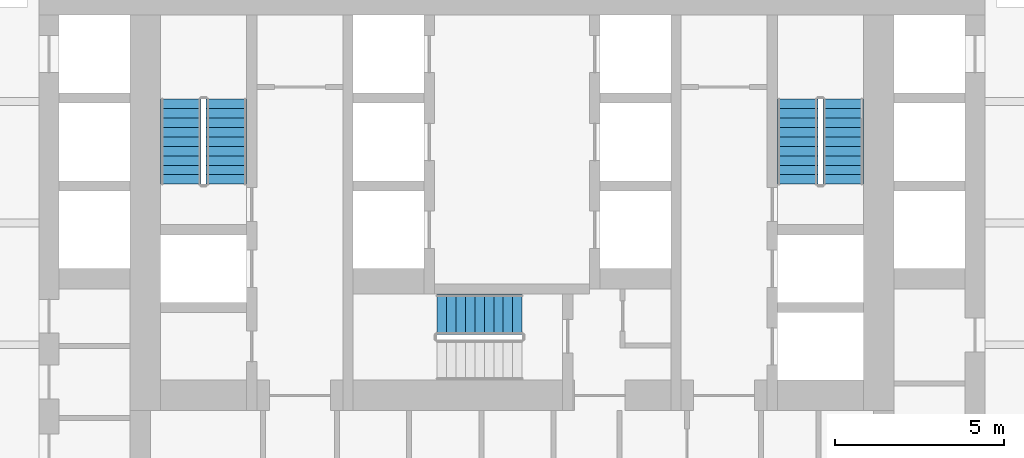
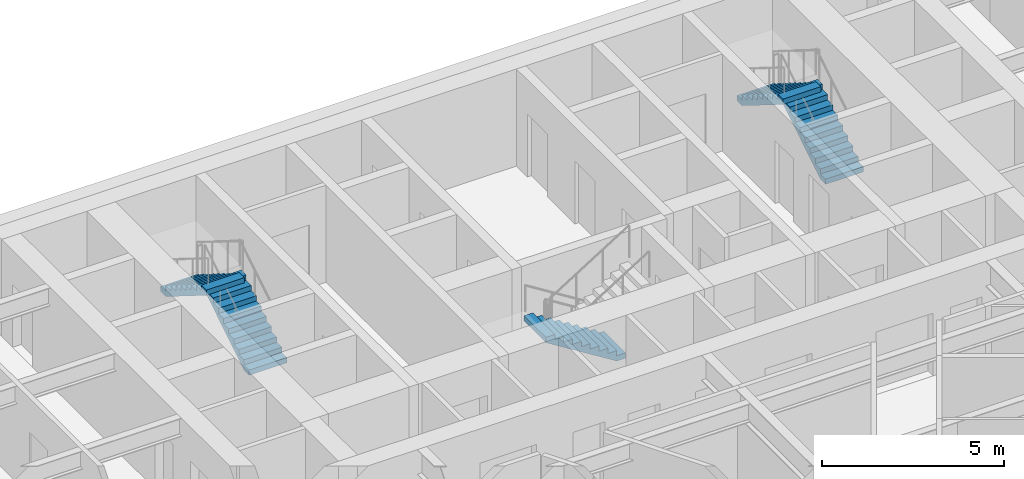
# One storey, part 7 of 9: 5 stair flights, 3 elements without a shape of their own.
"""IFC4 building model written with IfcOpenShell, lengths in metres."""

from ifc_helpers import new_model, si_unit, direction, frame, origin, place, context, subcontext, project, spatial, polyline, outline, extrude, material, type_object, element, aggregate, save


model = new_model("IFC4")

# Units and contexts
model_context = context("Model", 3, precision=1e-05, world=origin(), true_north=direction((0.0, 1.0)))
body_context = subcontext(model_context, "Body", "Model", "MODEL_VIEW")
ifc_project = project(units=[si_unit("LENGTHUNIT", "METRE"), si_unit("AREAUNIT", "SQUARE_METRE"), si_unit("VOLUMEUNIT", "CUBIC_METRE"), si_unit("PLANEANGLEUNIT", "RADIAN"), si_unit("MASSUNIT", "GRAM", prefix="KILO")], contexts=[model_context])

# Site, building, storey
site_placement = place(None, origin())
site = spatial("IfcSite", under=ifc_project, at=site_placement, CompositionType="ELEMENT")
building_placement = place(site_placement, origin())
building = spatial("IfcBuilding", under=site, at=building_placement, Name="Aloe Facet Convention Tower", CompositionType="ELEMENT")
storey_placement = place(building_placement, frame((0.0, 0.0, 120.300048828125)))
storey = spatial("IfcBuildingStorey", under=building, at=storey_placement, Name="L30", CompositionType="ELEMENT", Elevation=120.300048828125)

# Stair, stair flights
ifc_material_1 = material(Name="Concrete C50/60", Category="concrete")
stair_type = type_object("IfcStairType", Name="CR-ST-20R", PredefinedType="HALF_TURN_STAIR", material=ifc_material_1)
stair_1_placement = place(storey_placement, origin())
stair_1 = element("IfcStair", 1, at=stair_1_placement, inside=storey, type_object=stair_type, Name="L30 Protected exit stair ST1", PredefinedType="HALF_TURN_STAIR")
ifc_material_2 = material(Name="Concrete C50/60", Category="concrete")
stair_flight_type = type_object("IfcStairFlightType", Name="CR-SFL-20R", PredefinedType="STRAIGHT", material=ifc_material_2)
stair_flight_1_placement = place(storey_placement, frame((71.550048828125, 128.949951171875, 0.0), z_axis=(0.0, 0.0, 1.0), x_axis=(0.0, 1.0, 0.0)))
stair_flight_1 = element("IfcStairFlight", 2, at=stair_flight_1_placement, type_object=stair_flight_type, Name="ST1 flight 1", NumberOfRisers=10, NumberOfTreads=9, PredefinedType="STRAIGHT", RiserHeight=0.175, TreadLength=0.28, context=body_context, shape_type="SweptSolid", body=[
    extrude(outline(polyline([(0.0, 0.0), (0.0, 0.175048828125), (0.280029296875, 0.175048828125), (0.280029296875, 0.35009765625), (0.56005859375, 0.35009765625), (0.56005859375, 0.52490234375), (0.840087890625, 0.52490234375), (0.840087890625, 0.699951171875), (1.1201171875, 0.699951171875), (1.1201171875, 0.875), (1.39990234375, 0.875), (1.39990234375, 1.050048828125), (1.679931640625, 1.050048828125), (1.679931640625, 1.22509765625), (1.9599609375, 1.22509765625), (1.9599609375, 1.39990234375), (2.239990234375, 1.39990234375), (2.239990234375, 1.574951171875), (2.52001953125, 1.574951171875), (2.52001953125, 1.75), (2.52001953125, 1.398193359375), (0.28271484375, 0.0), (0.0, 0.0)])), frame((0.0, 0.60009765625, 0.0), z_axis=(0.0, -1.0, 0.0), x_axis=(1.0, 0.0, 0.0)), (0.0, 0.0, 1.0), 1.199951171875),
])
stair_flight_2_placement = place(storey_placement, frame((70.199951171875, 131.469970703125, 1.75), z_axis=(0.0, 0.0, 1.0), x_axis=(0.0, -1.0, 0.0)))
stair_flight_2 = element("IfcStairFlight", 3, at=stair_flight_2_placement, type_object=stair_flight_type, Name="ST1 flight 2", NumberOfRisers=10, NumberOfTreads=9, PredefinedType="STRAIGHT", RiserHeight=0.175, TreadLength=0.28, context=body_context, shape_type="SweptSolid", body=[
    extrude(outline(polyline([(0.0, 0.0), (0.0, 0.175048828125), (0.280029296875, 0.175048828125), (0.280029296875, 0.35009765625), (0.56005859375, 0.35009765625), (0.56005859375, 0.52490234375), (0.840087890625, 0.52490234375), (0.840087890625, 0.699951171875), (1.1201171875, 0.699951171875), (1.1201171875, 0.875), (1.39990234375, 0.875), (1.39990234375, 1.050048828125), (1.679931640625, 1.050048828125), (1.679931640625, 1.22509765625), (1.9599609375, 1.22509765625), (1.9599609375, 1.39990234375), (2.239990234375, 1.39990234375), (2.239990234375, 1.574951171875), (2.52001953125, 1.574951171875), (2.52001953125, 1.75), (2.52001953125, 1.398193359375), (0.28271484375, 0.0), (0.0, 0.0)])), frame((0.0, 0.60009765625, 0.0), z_axis=(0.0, -1.0, 0.0), x_axis=(1.0, 0.0, 0.0)), (0.0, 0.0, 1.0), 1.199951171875),
])
aggregate(stair_1, [stair_flight_1, stair_flight_2])

stair_2_placement = place(storey_placement, origin())
stair_2 = element("IfcStair", 4, at=stair_2_placement, inside=storey, type_object=stair_type, Name="L30 Protected exit stair ST2", PredefinedType="HALF_TURN_STAIR")
stair_flight_3_placement = place(storey_placement, frame((89.800048828125, 128.949951171875, 0.0), z_axis=(0.0, 0.0, 1.0), x_axis=(0.0, 1.0, 0.0)))
stair_flight_3 = element("IfcStairFlight", 5, at=stair_flight_3_placement, type_object=stair_flight_type, Name="ST2 flight 1", NumberOfRisers=10, NumberOfTreads=9, PredefinedType="STRAIGHT", RiserHeight=0.175, TreadLength=0.28, context=body_context, shape_type="SweptSolid", body=[
    extrude(outline(polyline([(0.0, 0.0), (0.0, 0.175048828125), (0.280029296875, 0.175048828125), (0.280029296875, 0.35009765625), (0.56005859375, 0.35009765625), (0.56005859375, 0.52490234375), (0.840087890625, 0.52490234375), (0.840087890625, 0.699951171875), (1.1201171875, 0.699951171875), (1.1201171875, 0.875), (1.39990234375, 0.875), (1.39990234375, 1.050048828125), (1.679931640625, 1.050048828125), (1.679931640625, 1.22509765625), (1.9599609375, 1.22509765625), (1.9599609375, 1.39990234375), (2.239990234375, 1.39990234375), (2.239990234375, 1.574951171875), (2.52001953125, 1.574951171875), (2.52001953125, 1.75), (2.52001953125, 1.398193359375), (0.28271484375, 0.0), (0.0, 0.0)])), frame((0.0, 0.60009765625, 0.0), z_axis=(0.0, -1.0, 0.0), x_axis=(1.0, 0.0, 0.0)), (0.0, 0.0, 1.0), 1.199951171875),
])
stair_flight_4_placement = place(storey_placement, frame((88.449951171875, 131.469970703125, 1.75), z_axis=(0.0, 0.0, 1.0), x_axis=(0.0, -1.0, 0.0)))
stair_flight_4 = element("IfcStairFlight", 6, at=stair_flight_4_placement, type_object=stair_flight_type, Name="ST2 flight 2", NumberOfRisers=10, NumberOfTreads=9, PredefinedType="STRAIGHT", RiserHeight=0.175, TreadLength=0.28, context=body_context, shape_type="SweptSolid", body=[
    extrude(outline(polyline([(0.0, 0.0), (0.0, 0.175048828125), (0.280029296875, 0.175048828125), (0.280029296875, 0.35009765625), (0.56005859375, 0.35009765625), (0.56005859375, 0.52490234375), (0.840087890625, 0.52490234375), (0.840087890625, 0.699951171875), (1.1201171875, 0.699951171875), (1.1201171875, 0.875), (1.39990234375, 0.875), (1.39990234375, 1.050048828125), (1.679931640625, 1.050048828125), (1.679931640625, 1.22509765625), (1.9599609375, 1.22509765625), (1.9599609375, 1.39990234375), (2.239990234375, 1.39990234375), (2.239990234375, 1.574951171875), (2.52001953125, 1.574951171875), (2.52001953125, 1.75), (2.52001953125, 1.398193359375), (0.28271484375, 0.0), (0.0, 0.0)])), frame((0.0, 0.60009765625, 0.0), z_axis=(0.0, -1.0, 0.0), x_axis=(1.0, 0.0, 0.0)), (0.0, 0.0, 1.0), 1.199951171875),
])
aggregate(stair_2, [stair_flight_3, stair_flight_4])

# Stair, stair flight
stair_3_placement = place(storey_placement, origin())
stair_3 = element("IfcStair", 7, at=stair_3_placement, inside=storey, type_object=stair_type, Name="L30 Protected exit stair ST3", PredefinedType="HALF_TURN_STAIR")
stair_flight_5_placement = place(storey_placement, frame((80.300048828125, 125.10009765625, 0.0), z_axis=(0.0, 0.0, 1.0), x_axis=(-1.0, 0.0, 0.0)))
stair_flight_5 = element("IfcStairFlight", 8, at=stair_flight_5_placement, type_object=stair_flight_type, Name="ST3 flight 1", NumberOfRisers=10, NumberOfTreads=9, PredefinedType="STRAIGHT", RiserHeight=0.175, TreadLength=0.28, context=body_context, shape_type="SweptSolid", body=[
    extrude(outline(polyline([(0.0, 0.0), (0.0, 0.175048828125), (0.280029296875, 0.175048828125), (0.280029296875, 0.35009765625), (0.56005859375, 0.35009765625), (0.56005859375, 0.52490234375), (0.840087890625, 0.52490234375), (0.840087890625, 0.699951171875), (1.1201171875, 0.699951171875), (1.1201171875, 0.875), (1.39990234375, 0.875), (1.39990234375, 1.050048828125), (1.679931640625, 1.050048828125), (1.679931640625, 1.22509765625), (1.9599609375, 1.22509765625), (1.9599609375, 1.39990234375), (2.239990234375, 1.39990234375), (2.239990234375, 1.574951171875), (2.52001953125, 1.574951171875), (2.52001953125, 1.75), (2.52001953125, 1.398193359375), (0.28271484375, 0.0), (0.0, 0.0)])), frame((0.0, 0.60009765625, 0.0), z_axis=(0.0, -1.0, 0.0), x_axis=(1.0, 0.0, 0.0)), (0.0, 0.0, 1.0), 1.199951171875),
])
aggregate(stair_3, [stair_flight_5])

save(model, "model.ifc")
